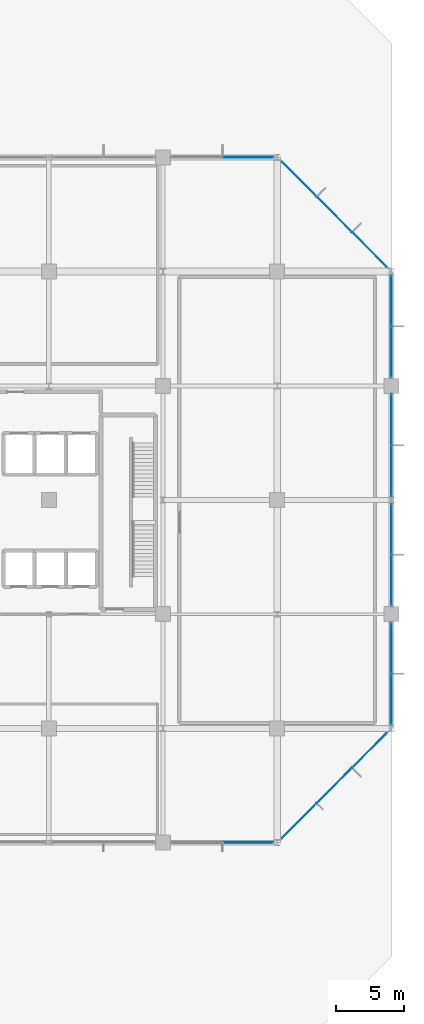
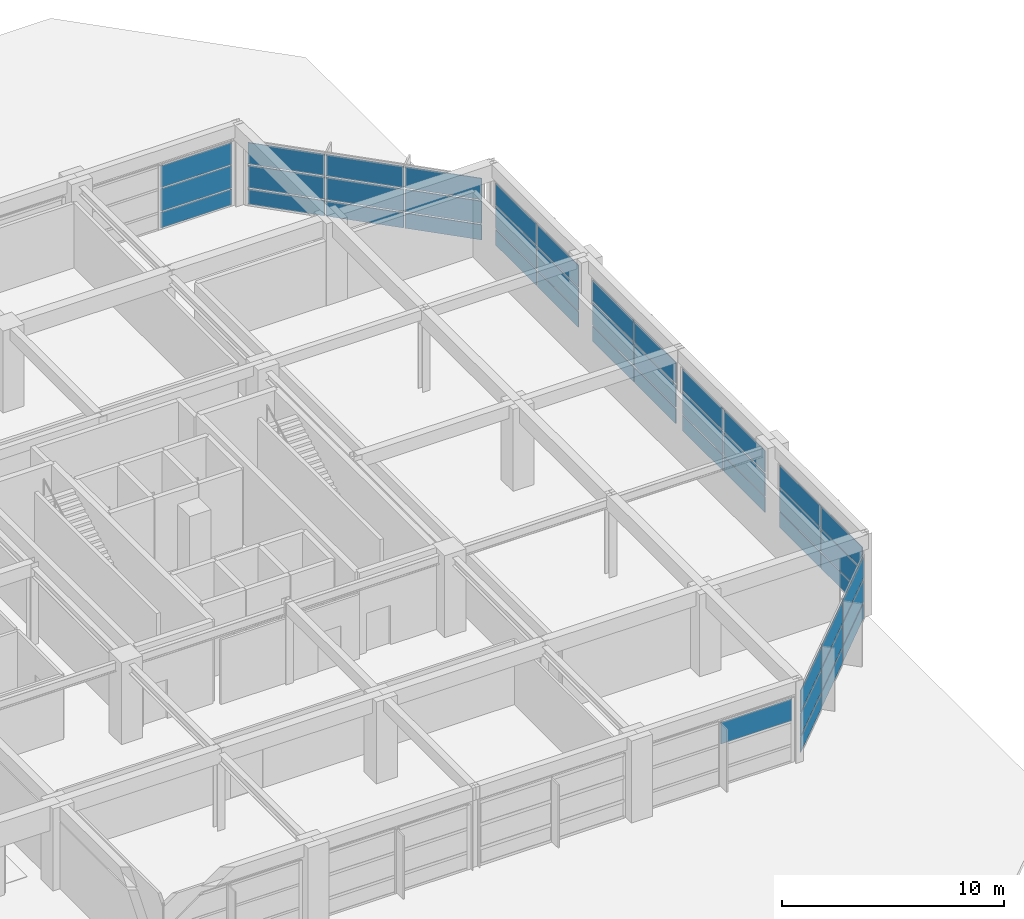
# One storey, part 39 of 47: 46 plates, 8 elements without a shape of their own.
"""IFC4 building model written with IfcOpenShell, lengths in metres."""

from ifc_helpers import new_model, si_unit, direction, frame, origin, origin_2d, place, context, subcontext, project, spatial, rectangle, extrude, material, layer, layer_set, type_object, element, aggregate, save


model = new_model("IFC4")

# Units and contexts
model_context = context("Model", 3, precision=1e-05, world=origin(), true_north=direction((0.0, 1.0)))
body_context = subcontext(model_context, "Body", "Model", "MODEL_VIEW")
ifc_project = project(units=[si_unit("LENGTHUNIT", "METRE"), si_unit("AREAUNIT", "SQUARE_METRE"), si_unit("VOLUMEUNIT", "CUBIC_METRE"), si_unit("PLANEANGLEUNIT", "RADIAN"), si_unit("MASSUNIT", "GRAM", prefix="KILO")], contexts=[model_context])

# Site, building, storey
site_placement = place(None, origin())
site = spatial("IfcSite", under=ifc_project, at=site_placement, CompositionType="ELEMENT")
building_placement = place(site_placement, origin())
building = spatial("IfcBuilding", under=site, at=building_placement, Name="Xuanlan Plaza Opera House", CompositionType="ELEMENT")
storey_placement = place(building_placement, frame((0.0, 0.0, 23.39990234375)))
storey = spatial("IfcBuildingStorey", under=building, at=storey_placement, Name="L05", CompositionType="ELEMENT", Elevation=23.39990234375)

# Curtain wall, plates
ifc_material_1 = material(Name="Anodised Aluminium 6063-T6 and Low-E Glass", Category="aluminium")
curtain_wall_type_1 = type_object("IfcCurtainWallType", Name="ENV-CW-CW-01", PredefinedType="USERDEFINED", material=ifc_material_1)
curtain_wall_1_placement = place(storey_placement, origin())
curtain_wall_1 = element("IfcCurtainWall", 1, at=curtain_wall_1_placement, inside=storey, type_object=curtain_wall_type_1, Name="Unitised Curtain Wall L05-018", ObjectType="UNITISED CURTAIN WALL", PredefinedType="USERDEFINED")
ifc_material_2 = material(Name="Laminated Acoustic Double Glazing", Category="glass")
ifc_layer_1 = layer(ifc_material_2, 0.028076171875)
ifc_layer_set_1 = layer_set([ifc_layer_1], Name="Laminated Acoustic Double Glazing")
plate_type_1 = type_object("IfcPlateType", Name="ENV-CWP-01", PredefinedType="CURTAIN_PANEL", material=ifc_layer_set_1)
plate_1_placement = place(storey_placement, frame((168.0, 52.89501953125, 0.0751953125), z_axis=(0.0, 0.0, 1.0), x_axis=(0.0, 1.0, 0.0)))
plate_1 = element("IfcPlate", 2, at=plate_1_placement, type_object=plate_type_1, Name="CW-01 panel 1.1", PredefinedType="CURTAIN_PANEL", context=body_context, shape_type="SweptSolid", body=[
    extrude(rectangle(XDim=3.669921875, YDim=0.028076171875, at=origin_2d()), origin(), (0.0, 0.0, 1.0), 0.83740234375),
])
plate_2_placement = place(storey_placement, frame((168.0, 52.89501953125, 0.987548828125), z_axis=(0.0, 0.0, 1.0), x_axis=(0.0, 1.0, 0.0)))
plate_2 = element("IfcPlate", 3, at=plate_2_placement, type_object=plate_type_1, Name="CW-01 panel 1.2", PredefinedType="CURTAIN_PANEL", context=body_context, shape_type="SweptSolid", body=[
    extrude(rectangle(XDim=3.669921875, YDim=0.028076171875, at=origin_2d()), origin(), (0.0, 0.0, 1.0), 1.22509765625),
])
plate_3_placement = place(storey_placement, frame((168.0, 52.89501953125, 2.28759765625), z_axis=(0.0, 0.0, 1.0), x_axis=(0.0, 1.0, 0.0)))
plate_3 = element("IfcPlate", 4, at=plate_3_placement, type_object=plate_type_1, Name="CW-01 panel 1.3", PredefinedType="CURTAIN_PANEL", context=body_context, shape_type="SweptSolid", body=[
    extrude(rectangle(XDim=3.669921875, YDim=0.028076171875, at=origin_2d()), origin(), (0.0, 0.0, 1.0), 1.177490234375),
])
plate_4_placement = place(storey_placement, frame((168.0, 56.655029296875, 0.0751953125), z_axis=(0.0, 0.0, 1.0), x_axis=(0.0, 1.0, 0.0)))
plate_4 = element("IfcPlate", 5, at=plate_4_placement, type_object=plate_type_1, Name="CW-01 panel 2.1", PredefinedType="CURTAIN_PANEL", context=body_context, shape_type="SweptSolid", body=[
    extrude(rectangle(XDim=3.669921875, YDim=0.028076171875, at=origin_2d()), origin(), (0.0, 0.0, 1.0), 0.83740234375),
])
plate_5_placement = place(storey_placement, frame((168.0, 56.655029296875, 0.987548828125), z_axis=(0.0, 0.0, 1.0), x_axis=(0.0, 1.0, 0.0)))
plate_5 = element("IfcPlate", 6, at=plate_5_placement, type_object=plate_type_1, Name="CW-01 panel 2.2", PredefinedType="CURTAIN_PANEL", context=body_context, shape_type="SweptSolid", body=[
    extrude(rectangle(XDim=3.669921875, YDim=0.028076171875, at=origin_2d()), origin(), (0.0, 0.0, 1.0), 1.22509765625),
])
plate_6_placement = place(storey_placement, frame((168.0, 56.655029296875, 2.28759765625), z_axis=(0.0, 0.0, 1.0), x_axis=(0.0, 1.0, 0.0)))
plate_6 = element("IfcPlate", 7, at=plate_6_placement, type_object=plate_type_1, Name="CW-01 panel 2.3", PredefinedType="CURTAIN_PANEL", context=body_context, shape_type="SweptSolid", body=[
    extrude(rectangle(XDim=3.669921875, YDim=0.028076171875, at=origin_2d()), origin(), (0.0, 0.0, 1.0), 1.177490234375),
])
aggregate(curtain_wall_1, [plate_1, plate_2, plate_3, plate_4, plate_5, plate_6])

# Curtain wall, plate
curtain_wall_type_2 = type_object("IfcCurtainWallType", Name="ENV-CW-CW-02", PredefinedType="USERDEFINED", material=ifc_material_1)
curtain_wall_2_placement = place(storey_placement, origin())
curtain_wall_2 = element("IfcCurtainWall", 8, at=curtain_wall_2_placement, inside=storey, type_object=curtain_wall_type_2, Name="Unitised Curtain Wall L05-015", ObjectType="UNITISED CURTAIN WALL", PredefinedType="USERDEFINED")
ifc_layer_2 = layer(ifc_material_2, 0.031982421875)
ifc_layer_set_2 = layer_set([ifc_layer_2], Name="Laminated Acoustic Double Glazing")
plate_type_2 = type_object("IfcPlateType", Name="ENV-CWP-02", PredefinedType="CURTAIN_PANEL", material=ifc_layer_set_2)
plate_7_placement = place(storey_placement, frame((157.4599609375, 33.60009765625, 2.28515625), z_axis=(0.0, 0.0, 1.0), x_axis=(1.0, 0.0, 0.0)))
plate_7 = element("IfcPlate", 9, at=plate_7_placement, type_object=plate_type_2, Name="CW-02 panel 2.3", PredefinedType="CURTAIN_PANEL", context=body_context, shape_type="SweptSolid", body=[
    extrude(rectangle(XDim=3.699951171875, YDim=0.031982421875, at=origin_2d()), origin(), (0.0, 0.0, 1.0), 1.18505859375),
])
aggregate(curtain_wall_2, [plate_7])

# Curtain wall, plates
curtain_wall_type_3 = type_object("IfcCurtainWallType", Name="ENV-CW-CW-03", PredefinedType="USERDEFINED", material=ifc_material_1)
curtain_wall_3_placement = place(storey_placement, origin())
curtain_wall_3 = element("IfcCurtainWall", 10, at=curtain_wall_3_placement, inside=storey, type_object=curtain_wall_type_3, Name="Unitised Curtain Wall L05-020", ObjectType="UNITISED CURTAIN WALL", PredefinedType="USERDEFINED")
plate_8_placement = place(storey_placement, frame((168.0, 69.68994140625, 0.0703125), z_axis=(0.0, 0.0, 1.0), x_axis=(0.0, 1.0, 0.0)))
plate_8 = element("IfcPlate", 11, at=plate_8_placement, type_object=plate_type_2, Name="CW-03 panel 1.1", PredefinedType="CURTAIN_PANEL", context=body_context, shape_type="SweptSolid", body=[
    extrude(rectangle(XDim=3.699951171875, YDim=0.031982421875, at=origin_2d()), origin(), (0.0, 0.0, 1.0), 0.844970703125),
])
plate_9_placement = place(storey_placement, frame((168.0, 69.68994140625, 0.985107421875), z_axis=(0.0, 0.0, 1.0), x_axis=(0.0, 1.0, 0.0)))
plate_9 = element("IfcPlate", 12, at=plate_9_placement, type_object=plate_type_2, Name="CW-03 panel 1.2", PredefinedType="CURTAIN_PANEL", context=body_context, shape_type="SweptSolid", body=[
    extrude(rectangle(XDim=3.699951171875, YDim=0.031982421875, at=origin_2d()), origin(), (0.0, 0.0, 1.0), 1.22998046875),
])
plate_10_placement = place(storey_placement, frame((168.0, 69.68994140625, 2.28515625), z_axis=(0.0, 0.0, 1.0), x_axis=(0.0, 1.0, 0.0)))
plate_10 = element("IfcPlate", 13, at=plate_10_placement, type_object=plate_type_2, Name="CW-03 panel 1.3", PredefinedType="CURTAIN_PANEL", context=body_context, shape_type="SweptSolid", body=[
    extrude(rectangle(XDim=3.699951171875, YDim=0.031982421875, at=origin_2d()), origin(), (0.0, 0.0, 1.0), 1.18505859375),
])
plate_11_placement = place(storey_placement, frame((168.0, 73.4599609375, 0.0703125), z_axis=(0.0, 0.0, 1.0), x_axis=(0.0, 1.0, 0.0)))
plate_11 = element("IfcPlate", 14, at=plate_11_placement, type_object=plate_type_2, Name="CW-03 panel 2.1", PredefinedType="CURTAIN_PANEL", context=body_context, shape_type="SweptSolid", body=[
    extrude(rectangle(XDim=3.699951171875, YDim=0.031982421875, at=origin_2d()), origin(), (0.0, 0.0, 1.0), 0.844970703125),
])
plate_12_placement = place(storey_placement, frame((168.0, 73.4599609375, 0.985107421875), z_axis=(0.0, 0.0, 1.0), x_axis=(0.0, 1.0, 0.0)))
plate_12 = element("IfcPlate", 15, at=plate_12_placement, type_object=plate_type_2, Name="CW-03 panel 2.2", PredefinedType="CURTAIN_PANEL", context=body_context, shape_type="SweptSolid", body=[
    extrude(rectangle(XDim=3.699951171875, YDim=0.031982421875, at=origin_2d()), origin(), (0.0, 0.0, 1.0), 1.22998046875),
])
plate_13_placement = place(storey_placement, frame((168.0, 73.4599609375, 2.28515625), z_axis=(0.0, 0.0, 1.0), x_axis=(0.0, 1.0, 0.0)))
plate_13 = element("IfcPlate", 16, at=plate_13_placement, type_object=plate_type_2, Name="CW-03 panel 2.3", PredefinedType="CURTAIN_PANEL", context=body_context, shape_type="SweptSolid", body=[
    extrude(rectangle(XDim=3.699951171875, YDim=0.031982421875, at=origin_2d()), origin(), (0.0, 0.0, 1.0), 1.18505859375),
])
aggregate(curtain_wall_3, [plate_8, plate_9, plate_10, plate_11, plate_12, plate_13])

curtain_wall_type_4 = type_object("IfcCurtainWallType", Name="ENV-CW-CW-04", PredefinedType="USERDEFINED", material=ifc_material_1)
curtain_wall_4_placement = place(storey_placement, origin())
curtain_wall_4 = element("IfcCurtainWall", 17, at=curtain_wall_4_placement, inside=storey, type_object=curtain_wall_type_4, Name="Unitised Curtain Wall L05-017", ObjectType="UNITISED CURTAIN WALL", PredefinedType="USERDEFINED")
ifc_layer_3 = layer(ifc_material_2, 0.035888671875)
ifc_layer_set_3 = layer_set([ifc_layer_3], Name="Laminated Acoustic Double Glazing")
plate_type_3 = type_object("IfcPlateType", Name="ENV-CWP-03", PredefinedType="CURTAIN_PANEL", material=ifc_layer_set_3)
plate_14_placement = place(storey_placement, frame((168.0, 44.142578125, 0.065185546875), z_axis=(0.0, 0.0, 1.0), x_axis=(0.0, 1.0, 0.0)))
plate_14 = element("IfcPlate", 18, at=plate_14_placement, type_object=plate_type_3, Name="CW-04 panel 1.1", PredefinedType="CURTAIN_PANEL", context=body_context, shape_type="SweptSolid", body=[
    extrude(rectangle(XDim=3.68505859375, YDim=0.035888671875, at=origin_2d()), origin(), (0.0, 0.0, 1.0), 0.8525390625),
])
plate_15_placement = place(storey_placement, frame((168.0, 44.142578125, 0.982421875), z_axis=(0.0, 0.0, 1.0), x_axis=(0.0, 1.0, 0.0)))
plate_15 = element("IfcPlate", 19, at=plate_15_placement, type_object=plate_type_3, Name="CW-04 panel 1.2", PredefinedType="CURTAIN_PANEL", context=body_context, shape_type="SweptSolid", body=[
    extrude(rectangle(XDim=3.68505859375, YDim=0.035888671875, at=origin_2d()), origin(), (0.0, 0.0, 1.0), 1.235107421875),
])
plate_16_placement = place(storey_placement, frame((168.0, 44.142578125, 2.28271484375), z_axis=(0.0, 0.0, 1.0), x_axis=(0.0, 1.0, 0.0)))
plate_16 = element("IfcPlate", 20, at=plate_16_placement, type_object=plate_type_3, Name="CW-04 panel 1.3", PredefinedType="CURTAIN_PANEL", context=body_context, shape_type="SweptSolid", body=[
    extrude(rectangle(XDim=3.68505859375, YDim=0.035888671875, at=origin_2d()), origin(), (0.0, 0.0, 1.0), 1.1923828125),
])
plate_17_placement = place(storey_placement, frame((168.0, 47.907470703125, 0.065185546875), z_axis=(0.0, 0.0, 1.0), x_axis=(0.0, 1.0, 0.0)))
plate_17 = element("IfcPlate", 21, at=plate_17_placement, type_object=plate_type_3, Name="CW-04 panel 2.1", PredefinedType="CURTAIN_PANEL", context=body_context, shape_type="SweptSolid", body=[
    extrude(rectangle(XDim=3.68505859375, YDim=0.035888671875, at=origin_2d()), origin(), (0.0, 0.0, 1.0), 0.8525390625),
])
plate_18_placement = place(storey_placement, frame((168.0, 47.907470703125, 0.982421875), z_axis=(0.0, 0.0, 1.0), x_axis=(0.0, 1.0, 0.0)))
plate_18 = element("IfcPlate", 22, at=plate_18_placement, type_object=plate_type_3, Name="CW-04 panel 2.2", PredefinedType="CURTAIN_PANEL", context=body_context, shape_type="SweptSolid", body=[
    extrude(rectangle(XDim=3.68505859375, YDim=0.035888671875, at=origin_2d()), origin(), (0.0, 0.0, 1.0), 1.235107421875),
])
plate_19_placement = place(storey_placement, frame((168.0, 47.907470703125, 2.28271484375), z_axis=(0.0, 0.0, 1.0), x_axis=(0.0, 1.0, 0.0)))
plate_19 = element("IfcPlate", 23, at=plate_19_placement, type_object=plate_type_3, Name="CW-04 panel 2.3", PredefinedType="CURTAIN_PANEL", context=body_context, shape_type="SweptSolid", body=[
    extrude(rectangle(XDim=3.68505859375, YDim=0.035888671875, at=origin_2d()), origin(), (0.0, 0.0, 1.0), 1.1923828125),
])
aggregate(curtain_wall_4, [plate_14, plate_15, plate_16, plate_17, plate_18, plate_19])

curtain_wall_5_placement = place(storey_placement, origin())
curtain_wall_5 = element("IfcCurtainWall", 24, at=curtain_wall_5_placement, inside=storey, type_object=curtain_wall_type_1, Name="Unitised Curtain Wall L05-022", ObjectType="UNITISED CURTAIN WALL", PredefinedType="USERDEFINED")
plate_20_placement = place(storey_placement, frame((157.45751953125, 84.0, 0.065185546875), z_axis=(0.0, 0.0, 1.0), x_axis=(-1.0, 0.0, 0.0)))
plate_20 = element("IfcPlate", 25, at=plate_20_placement, type_object=plate_type_3, Name="CW-01 panel 1.1", PredefinedType="CURTAIN_PANEL", context=body_context, shape_type="SweptSolid", body=[
    extrude(rectangle(XDim=3.68505859375, YDim=0.035888671875, at=origin_2d()), origin(), (0.0, 0.0, 1.0), 0.8525390625),
])
plate_21_placement = place(storey_placement, frame((157.45751953125, 84.0, 0.982421875), z_axis=(0.0, 0.0, 1.0), x_axis=(-1.0, 0.0, 0.0)))
plate_21 = element("IfcPlate", 26, at=plate_21_placement, type_object=plate_type_3, Name="CW-01 panel 1.2", PredefinedType="CURTAIN_PANEL", context=body_context, shape_type="SweptSolid", body=[
    extrude(rectangle(XDim=3.68505859375, YDim=0.035888671875, at=origin_2d()), origin(), (0.0, 0.0, 1.0), 1.235107421875),
])
plate_22_placement = place(storey_placement, frame((157.45751953125, 84.0, 2.28271484375), z_axis=(0.0, 0.0, 1.0), x_axis=(-1.0, 0.0, 0.0)))
plate_22 = element("IfcPlate", 27, at=plate_22_placement, type_object=plate_type_3, Name="CW-01 panel 1.3", PredefinedType="CURTAIN_PANEL", context=body_context, shape_type="SweptSolid", body=[
    extrude(rectangle(XDim=3.68505859375, YDim=0.035888671875, at=origin_2d()), origin(), (0.0, 0.0, 1.0), 1.1923828125),
])
aggregate(curtain_wall_5, [plate_20, plate_21, plate_22])

curtain_wall_6_placement = place(storey_placement, origin())
curtain_wall_6 = element("IfcCurtainWall", 28, at=curtain_wall_6_placement, inside=storey, type_object=curtain_wall_type_2, Name="Unitised Curtain Wall L05-019", ObjectType="UNITISED CURTAIN WALL", PredefinedType="USERDEFINED")
ifc_layer_4 = layer(ifc_material_2, 0.0400390625)
ifc_layer_set_4 = layer_set([ifc_layer_4], Name="Laminated Acoustic Double Glazing")
plate_type_4 = type_object("IfcPlateType", Name="ENV-CWP-04", PredefinedType="CURTAIN_PANEL", material=ifc_layer_set_4)
plate_23_placement = place(storey_placement, frame((168.0, 60.938720703125, 0.090087890625), z_axis=(0.0, 0.0, 1.0), x_axis=(0.0, 1.0, 0.0)))
plate_23 = element("IfcPlate", 29, at=plate_23_placement, type_object=plate_type_4, Name="CW-02 panel 1.1", PredefinedType="CURTAIN_PANEL", context=body_context, shape_type="SweptSolid", body=[
    extrude(rectangle(XDim=3.70751953125, YDim=0.0400390625, at=origin_2d()), origin(), (0.0, 0.0, 1.0), 0.81494140625),
])
plate_24_placement = place(storey_placement, frame((168.0, 60.938720703125, 0.9951171875), z_axis=(0.0, 0.0, 1.0), x_axis=(0.0, 1.0, 0.0)))
plate_24 = element("IfcPlate", 30, at=plate_24_placement, type_object=plate_type_4, Name="CW-02 panel 1.2", PredefinedType="CURTAIN_PANEL", context=body_context, shape_type="SweptSolid", body=[
    extrude(rectangle(XDim=3.70751953125, YDim=0.0400390625, at=origin_2d()), origin(), (0.0, 0.0, 1.0), 1.2099609375),
])
plate_25_placement = place(storey_placement, frame((168.0, 60.938720703125, 2.294921875), z_axis=(0.0, 0.0, 1.0), x_axis=(0.0, 1.0, 0.0)))
plate_25 = element("IfcPlate", 31, at=plate_25_placement, type_object=plate_type_4, Name="CW-02 panel 1.3", PredefinedType="CURTAIN_PANEL", context=body_context, shape_type="SweptSolid", body=[
    extrude(rectangle(XDim=3.70751953125, YDim=0.0400390625, at=origin_2d()), origin(), (0.0, 0.0, 1.0), 1.155029296875),
])
plate_26_placement = place(storey_placement, frame((168.0, 64.711181640625, 0.090087890625), z_axis=(0.0, 0.0, 1.0), x_axis=(0.0, 1.0, 0.0)))
plate_26 = element("IfcPlate", 32, at=plate_26_placement, type_object=plate_type_4, Name="CW-02 panel 2.1", PredefinedType="CURTAIN_PANEL", context=body_context, shape_type="SweptSolid", body=[
    extrude(rectangle(XDim=3.70751953125, YDim=0.0400390625, at=origin_2d()), origin(), (0.0, 0.0, 1.0), 0.81494140625),
])
plate_27_placement = place(storey_placement, frame((168.0, 64.711181640625, 0.9951171875), z_axis=(0.0, 0.0, 1.0), x_axis=(0.0, 1.0, 0.0)))
plate_27 = element("IfcPlate", 33, at=plate_27_placement, type_object=plate_type_4, Name="CW-02 panel 2.2", PredefinedType="CURTAIN_PANEL", context=body_context, shape_type="SweptSolid", body=[
    extrude(rectangle(XDim=3.70751953125, YDim=0.0400390625, at=origin_2d()), origin(), (0.0, 0.0, 1.0), 1.2099609375),
])
plate_28_placement = place(storey_placement, frame((168.0, 64.711181640625, 2.294921875), z_axis=(0.0, 0.0, 1.0), x_axis=(0.0, 1.0, 0.0)))
plate_28 = element("IfcPlate", 34, at=plate_28_placement, type_object=plate_type_4, Name="CW-02 panel 2.3", PredefinedType="CURTAIN_PANEL", context=body_context, shape_type="SweptSolid", body=[
    extrude(rectangle(XDim=3.70751953125, YDim=0.0400390625, at=origin_2d()), origin(), (0.0, 0.0, 1.0), 1.155029296875),
])
aggregate(curtain_wall_6, [plate_23, plate_24, plate_25, plate_26, plate_27, plate_28])

curtain_wall_7_placement = place(storey_placement, origin())
curtain_wall_7 = element("IfcCurtainWall", 35, at=curtain_wall_7_placement, inside=storey, type_object=curtain_wall_type_3, Name="Unitised Curtain Wall L05-016", ObjectType="UNITISED CURTAIN WALL", PredefinedType="USERDEFINED")
ifc_layer_5 = layer(ifc_material_2, 0.0439453125)
ifc_layer_set_5 = layer_set([ifc_layer_5], Name="Laminated Acoustic Double Glazing")
plate_type_5 = type_object("IfcPlateType", Name="ENV-CWP-05", PredefinedType="CURTAIN_PANEL", material=ifc_layer_set_5)
plate_29_placement = place(storey_placement, frame((161.212646484375, 35.212646484375, 0.080078125), z_axis=(0.0, 0.0, 1.0), x_axis=(0.707106781187, 0.707106781187, 0.0)))
plate_29 = element("IfcPlate", 36, at=plate_29_placement, type_object=plate_type_5, Name="CW-03 panel 1.1", PredefinedType="CURTAIN_PANEL", context=body_context, shape_type="SweptSolid", body=[
    extrude(rectangle(XDim=3.5654296875, YDim=0.0439453125, at=origin_2d()), origin(), (0.0, 0.0, 1.0), 0.830078125),
])
plate_30_placement = place(storey_placement, frame((161.212646484375, 35.212646484375, 0.990234375), z_axis=(0.0, 0.0, 1.0), x_axis=(0.707106781187, 0.707106781187, 0.0)))
plate_30 = element("IfcPlate", 37, at=plate_30_placement, type_object=plate_type_5, Name="CW-03 panel 1.2", PredefinedType="CURTAIN_PANEL", context=body_context, shape_type="SweptSolid", body=[
    extrude(rectangle(XDim=3.5654296875, YDim=0.0439453125, at=origin_2d()), origin(), (0.0, 0.0, 1.0), 1.219970703125),
])
plate_31_placement = place(storey_placement, frame((161.212646484375, 35.212646484375, 2.2900390625), z_axis=(0.0, 0.0, 1.0), x_axis=(0.707106781187, 0.707106781187, 0.0)))
plate_31 = element("IfcPlate", 38, at=plate_31_placement, type_object=plate_type_5, Name="CW-03 panel 1.3", PredefinedType="CURTAIN_PANEL", context=body_context, shape_type="SweptSolid", body=[
    extrude(rectangle(XDim=3.5654296875, YDim=0.0439453125, at=origin_2d()), origin(), (0.0, 0.0, 1.0), 1.169921875),
])
plate_32_placement = place(storey_placement, frame((163.800048828125, 37.800048828125, 0.080078125), z_axis=(0.0, 0.0, 1.0), x_axis=(0.707106781187, 0.707106781187, 0.0)))
plate_32 = element("IfcPlate", 39, at=plate_32_placement, type_object=plate_type_5, Name="CW-03 panel 2.1", PredefinedType="CURTAIN_PANEL", context=body_context, shape_type="SweptSolid", body=[
    extrude(rectangle(XDim=3.602783203125, YDim=0.0439453125, at=origin_2d()), origin(), (0.0, 0.0, 1.0), 0.830078125),
])
plate_33_placement = place(storey_placement, frame((163.800048828125, 37.800048828125, 0.990234375), z_axis=(0.0, 0.0, 1.0), x_axis=(0.707106781187, 0.707106781187, 0.0)))
plate_33 = element("IfcPlate", 40, at=plate_33_placement, type_object=plate_type_5, Name="CW-03 panel 2.2", PredefinedType="CURTAIN_PANEL", context=body_context, shape_type="SweptSolid", body=[
    extrude(rectangle(XDim=3.602783203125, YDim=0.0439453125, at=origin_2d()), origin(), (0.0, 0.0, 1.0), 1.219970703125),
])
plate_34_placement = place(storey_placement, frame((163.800048828125, 37.800048828125, 2.2900390625), z_axis=(0.0, 0.0, 1.0), x_axis=(0.707106781187, 0.707106781187, 0.0)))
plate_34 = element("IfcPlate", 41, at=plate_34_placement, type_object=plate_type_5, Name="CW-03 panel 2.3", PredefinedType="CURTAIN_PANEL", context=body_context, shape_type="SweptSolid", body=[
    extrude(rectangle(XDim=3.602783203125, YDim=0.0439453125, at=origin_2d()), origin(), (0.0, 0.0, 1.0), 1.169921875),
])
plate_35_placement = place(storey_placement, frame((166.387451171875, 40.387451171875, 0.080078125), z_axis=(0.0, 0.0, 1.0), x_axis=(0.707106781187, 0.707106781187, 0.0)))
plate_35 = element("IfcPlate", 42, at=plate_35_placement, type_object=plate_type_5, Name="CW-03 panel 3.1", PredefinedType="CURTAIN_PANEL", context=body_context, shape_type="SweptSolid", body=[
    extrude(rectangle(XDim=3.5654296875, YDim=0.0439453125, at=origin_2d()), origin(), (0.0, 0.0, 1.0), 0.830078125),
])
plate_36_placement = place(storey_placement, frame((166.387451171875, 40.387451171875, 0.990234375), z_axis=(0.0, 0.0, 1.0), x_axis=(0.707106781187, 0.707106781187, 0.0)))
plate_36 = element("IfcPlate", 43, at=plate_36_placement, type_object=plate_type_5, Name="CW-03 panel 3.2", PredefinedType="CURTAIN_PANEL", context=body_context, shape_type="SweptSolid", body=[
    extrude(rectangle(XDim=3.5654296875, YDim=0.0439453125, at=origin_2d()), origin(), (0.0, 0.0, 1.0), 1.219970703125),
])
plate_37_placement = place(storey_placement, frame((166.387451171875, 40.387451171875, 2.2900390625), z_axis=(0.0, 0.0, 1.0), x_axis=(0.707106781187, 0.707106781187, 0.0)))
plate_37 = element("IfcPlate", 44, at=plate_37_placement, type_object=plate_type_5, Name="CW-03 panel 3.3", PredefinedType="CURTAIN_PANEL", context=body_context, shape_type="SweptSolid", body=[
    extrude(rectangle(XDim=3.5654296875, YDim=0.0439453125, at=origin_2d()), origin(), (0.0, 0.0, 1.0), 1.169921875),
])
aggregate(curtain_wall_7, [plate_29, plate_30, plate_31, plate_32, plate_33, plate_34, plate_35, plate_36, plate_37])

curtain_wall_8_placement = place(storey_placement, origin())
curtain_wall_8 = element("IfcCurtainWall", 45, at=curtain_wall_8_placement, inside=storey, type_object=curtain_wall_type_4, Name="Unitised Curtain Wall L05-021", ObjectType="UNITISED CURTAIN WALL", PredefinedType="USERDEFINED")
plate_38_placement = place(storey_placement, frame((166.387451171875, 77.212646484375, 0.080078125), z_axis=(0.0, 0.0, 1.0), x_axis=(-0.707106781187, 0.707106781187, 0.0)))
plate_38 = element("IfcPlate", 46, at=plate_38_placement, type_object=plate_type_5, Name="CW-04 panel 1.1", PredefinedType="CURTAIN_PANEL", context=body_context, shape_type="SweptSolid", body=[
    extrude(rectangle(XDim=3.5654296875, YDim=0.0439453125, at=origin_2d()), origin(), (0.0, 0.0, 1.0), 0.830078125),
])
plate_39_placement = place(storey_placement, frame((166.387451171875, 77.212646484375, 0.990234375), z_axis=(0.0, 0.0, 1.0), x_axis=(-0.707106781187, 0.707106781187, 0.0)))
plate_39 = element("IfcPlate", 47, at=plate_39_placement, type_object=plate_type_5, Name="CW-04 panel 1.2", PredefinedType="CURTAIN_PANEL", context=body_context, shape_type="SweptSolid", body=[
    extrude(rectangle(XDim=3.5654296875, YDim=0.0439453125, at=origin_2d()), origin(), (0.0, 0.0, 1.0), 1.219970703125),
])
plate_40_placement = place(storey_placement, frame((166.387451171875, 77.212646484375, 2.2900390625), z_axis=(0.0, 0.0, 1.0), x_axis=(-0.707106781187, 0.707106781187, 0.0)))
plate_40 = element("IfcPlate", 48, at=plate_40_placement, type_object=plate_type_5, Name="CW-04 panel 1.3", PredefinedType="CURTAIN_PANEL", context=body_context, shape_type="SweptSolid", body=[
    extrude(rectangle(XDim=3.5654296875, YDim=0.0439453125, at=origin_2d()), origin(), (0.0, 0.0, 1.0), 1.169921875),
])
plate_41_placement = place(storey_placement, frame((163.800048828125, 79.800048828125, 0.080078125), z_axis=(0.0, 0.0, 1.0), x_axis=(-0.707106781187, 0.707106781187, 0.0)))
plate_41 = element("IfcPlate", 49, at=plate_41_placement, type_object=plate_type_5, Name="CW-04 panel 2.1", PredefinedType="CURTAIN_PANEL", context=body_context, shape_type="SweptSolid", body=[
    extrude(rectangle(XDim=3.602783203125, YDim=0.0439453125, at=origin_2d()), origin(), (0.0, 0.0, 1.0), 0.830078125),
])
plate_42_placement = place(storey_placement, frame((163.800048828125, 79.800048828125, 0.990234375), z_axis=(0.0, 0.0, 1.0), x_axis=(-0.707106781187, 0.707106781187, 0.0)))
plate_42 = element("IfcPlate", 50, at=plate_42_placement, type_object=plate_type_5, Name="CW-04 panel 2.2", PredefinedType="CURTAIN_PANEL", context=body_context, shape_type="SweptSolid", body=[
    extrude(rectangle(XDim=3.602783203125, YDim=0.0439453125, at=origin_2d()), origin(), (0.0, 0.0, 1.0), 1.219970703125),
])
plate_43_placement = place(storey_placement, frame((163.800048828125, 79.800048828125, 2.2900390625), z_axis=(0.0, 0.0, 1.0), x_axis=(-0.707106781187, 0.707106781187, 0.0)))
plate_43 = element("IfcPlate", 51, at=plate_43_placement, type_object=plate_type_5, Name="CW-04 panel 2.3", PredefinedType="CURTAIN_PANEL", context=body_context, shape_type="SweptSolid", body=[
    extrude(rectangle(XDim=3.602783203125, YDim=0.0439453125, at=origin_2d()), origin(), (0.0, 0.0, 1.0), 1.169921875),
])
plate_44_placement = place(storey_placement, frame((161.212646484375, 82.387451171875, 0.080078125), z_axis=(0.0, 0.0, 1.0), x_axis=(-0.707106781187, 0.707106781187, 0.0)))
plate_44 = element("IfcPlate", 52, at=plate_44_placement, type_object=plate_type_5, Name="CW-04 panel 3.1", PredefinedType="CURTAIN_PANEL", context=body_context, shape_type="SweptSolid", body=[
    extrude(rectangle(XDim=3.5654296875, YDim=0.0439453125, at=origin_2d()), origin(), (0.0, 0.0, 1.0), 0.830078125),
])
plate_45_placement = place(storey_placement, frame((161.212646484375, 82.387451171875, 0.990234375), z_axis=(0.0, 0.0, 1.0), x_axis=(-0.707106781187, 0.707106781187, 0.0)))
plate_45 = element("IfcPlate", 53, at=plate_45_placement, type_object=plate_type_5, Name="CW-04 panel 3.2", PredefinedType="CURTAIN_PANEL", context=body_context, shape_type="SweptSolid", body=[
    extrude(rectangle(XDim=3.5654296875, YDim=0.0439453125, at=origin_2d()), origin(), (0.0, 0.0, 1.0), 1.219970703125),
])
plate_46_placement = place(storey_placement, frame((161.212646484375, 82.387451171875, 2.2900390625), z_axis=(0.0, 0.0, 1.0), x_axis=(-0.707106781187, 0.707106781187, 0.0)))
plate_46 = element("IfcPlate", 54, at=plate_46_placement, type_object=plate_type_5, Name="CW-04 panel 3.3", PredefinedType="CURTAIN_PANEL", context=body_context, shape_type="SweptSolid", body=[
    extrude(rectangle(XDim=3.5654296875, YDim=0.0439453125, at=origin_2d()), origin(), (0.0, 0.0, 1.0), 1.169921875),
])
aggregate(curtain_wall_8, [plate_38, plate_39, plate_40, plate_41, plate_42, plate_43, plate_44, plate_45, plate_46])

save(model, "model.ifc")
